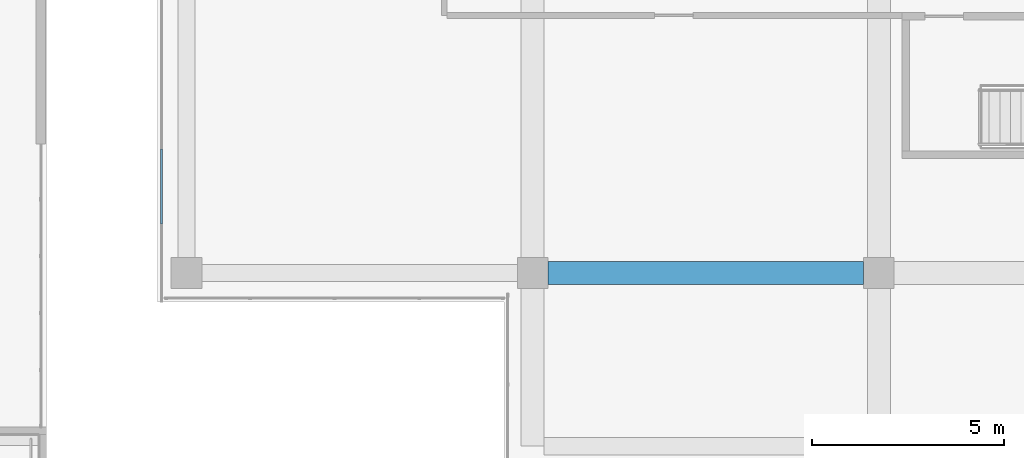
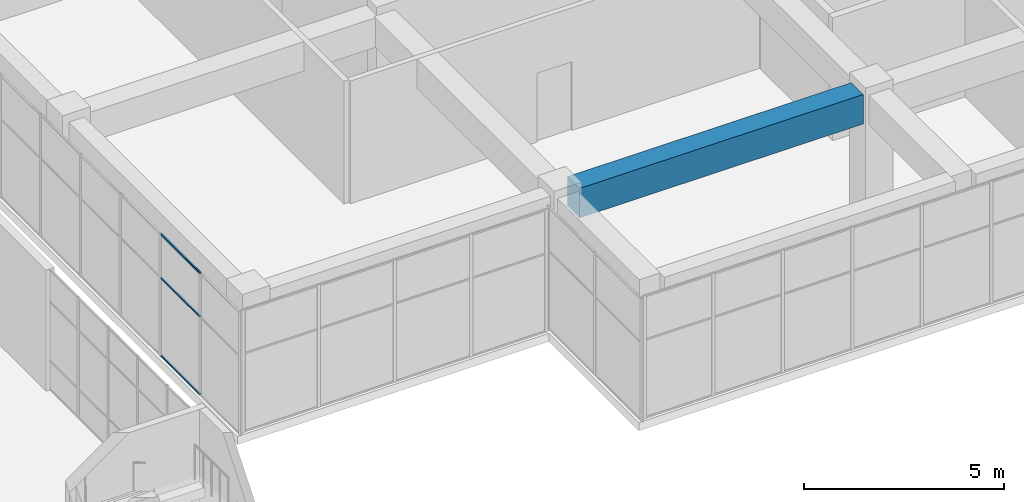
# One storey, part 15 of 65: 3 members, 1 beam, 1 element without a shape of its own.
"""IFC4 building model written with IfcOpenShell, lengths in metres."""

import ifcopenshell
import ifcopenshell.guid

model = None  # the IFC model being written
_history = None  # IfcOwnerHistory: only IFC2X3 demands one
_inside = {}  # id of a spatial element -> (the spatial element, [elements in it])
_under = {}  # id of a project, library or spatial element -> (it, [spatial elements below it])
_declared = {}  # id of a project -> (the project, [libraries it declares])
_typed = {}  # id of a type object -> (the type object, [elements of that type])
_made_of = {}  # id of a material, layer set ... -> (it, [elements and type objects made of it])


def new_model(schema):
    """Start an empty IFC model of exactly this schema.

    Asked for "IFC4X3", IfcOpenShell would pick the latest addendum, in which some entities
    have other attributes; the version numbers below select the first issue.
    IFC2X3 requires an IfcOwnerHistory on every rooted entity: one is made here for all.
    """
    global model, _history
    if schema == "IFC4X3":
        model = ifcopenshell.file(schema_version=(4, 3, 0, 0))
    else:
        model = ifcopenshell.file(schema=schema)
    _inside.clear()
    _under.clear()
    _declared.clear()
    _typed.clear()
    _made_of.clear()
    _history = None
    if model.schema == "IFC2X3":
        org = make("IfcOrganization", Name="unknown")
        user = make(
            "IfcPersonAndOrganization",
            ThePerson=make("IfcPerson", FamilyName="unknown"),
            TheOrganization=org,
        )
        app = make(
            "IfcApplication",
            ApplicationDeveloper=org,
            Version="unknown",
            ApplicationFullName="unknown",
            ApplicationIdentifier="unknown",
        )
        _history = make(
            "IfcOwnerHistory",
            OwningUser=user,
            OwningApplication=app,
            ChangeAction="ADDED",
            CreationDate=0,
        )
    return model


def make(cls, **values):
    """One entity of the class cls with the attributes given. An attribute that is None is left unset."""
    return model.create_entity(
        cls, **{name: value for name, value in values.items() if value is not None}
    )


def rooted(cls, **values):
    """An entity with a GlobalId (a new one), such as an element, a storey or a relation."""
    return make(cls, GlobalId=ifcopenshell.guid.new(), OwnerHistory=_history, **values)


def si_unit(unit_type, name, prefix=None):
    """IfcSIUnit, for example si_unit("LENGTHUNIT", "METRE", prefix="MILLI")."""
    return make("IfcSIUnit", UnitType=unit_type, Prefix=prefix, Name=name)


def assignment(units):
    """IfcUnitAssignment: the units of a project."""
    return None if units is None else make("IfcUnitAssignment", Units=units)


def point(xyz):
    """IfcCartesianPoint."""
    return None if xyz is None else make("IfcCartesianPoint", Coordinates=xyz)


def direction(xyz):
    """IfcDirection."""
    return None if xyz is None else make("IfcDirection", DirectionRatios=xyz)


def frame(location, z_axis=None, x_axis=None):
    """IfcAxis2Placement3D, a coordinate frame: its origin and axes. An axis left out is left unset."""
    return make(
        "IfcAxis2Placement3D",
        Location=point(location),
        Axis=direction(z_axis),
        RefDirection=direction(x_axis),
    )


def frame_2d(location, x_axis=None):
    """IfcAxis2Placement2D, a coordinate frame in the plane: its origin and x axis."""
    return make(
        "IfcAxis2Placement2D", Location=point(location), RefDirection=direction(x_axis)
    )


def origin():
    """The frame at (0, 0, 0) with its axes left unset."""
    return frame((0.0, 0.0, 0.0))


def origin_2d():
    """The frame at (0, 0) in the plane with its x axis left unset."""
    return frame_2d((0.0, 0.0))


def place(relative_to, where):
    """IfcLocalPlacement: puts the frame where relative to a parent placement (None: the world)."""
    return make(
        "IfcLocalPlacement", PlacementRelTo=relative_to, RelativePlacement=where
    )


def context(
    kind, dimensions, precision=None, world=None, true_north=None, identifier=None
):
    """IfcGeometricRepresentationContext, for example the 3D "Model" context."""
    return make(
        "IfcGeometricRepresentationContext",
        ContextIdentifier=identifier,
        ContextType=kind,
        CoordinateSpaceDimension=dimensions,
        Precision=precision,
        WorldCoordinateSystem=world,
        TrueNorth=true_north,
    )


def subcontext(parent, identifier, kind, view, scale=None):
    """IfcGeometricRepresentationSubContext, for example "Body" below "Model"."""
    return make(
        "IfcGeometricRepresentationSubContext",
        ContextIdentifier=identifier,
        ContextType=kind,
        ParentContext=parent,
        TargetScale=scale,
        TargetView=view,
    )


def project(units=None, contexts=None):
    """IfcProject with its units and contexts."""
    return rooted(
        "IfcProject",
        Name="project",
        RepresentationContexts=contexts,
        UnitsInContext=assignment(units),
    )


def spatial(cls, under=None, at=None, **own):
    """A site, building, storey or space (cls), placed at a placement, below another one or the project."""
    s = rooted(cls, ObjectPlacement=at, **own)
    if under is not None:
        _under.setdefault(under.id(), (under, []))[1].append(s)
    return s


def profile(cls, at=None, kind="AREA", **sizes):
    """A parametric profile (cls). Its sizes go by their IFC names, for example OverallWidth=200.0."""
    return make(cls, ProfileType=kind, Position=at, **sizes)


def rectangle(**sizes):
    """IfcRectangleProfileDef."""
    return profile("IfcRectangleProfileDef", **sizes)


def hollow_rectangle(**sizes):
    """IfcRectangleHollowProfileDef."""
    return profile("IfcRectangleHollowProfileDef", **sizes)


def extrude(swept, where, along, depth):
    """IfcExtrudedAreaSolid: the profile swept, set in the frame where, extruded along a direction by depth."""
    return make(
        "IfcExtrudedAreaSolid",
        SweptArea=swept,
        Position=where,
        ExtrudedDirection=direction(along),
        Depth=depth,
    )


def shape(context_of_items, identifier, shape_type, items):
    """IfcShapeRepresentation: the items that make up one representation, for example the "Body"."""
    return make(
        "IfcShapeRepresentation",
        ContextOfItems=context_of_items,
        RepresentationIdentifier=identifier,
        RepresentationType=shape_type,
        Items=items,
    )


def material(Name=None, Category=None):
    """IfcMaterial."""
    return make("IfcMaterial", Name=Name, Category=Category)


def layer(
    of_material, thickness, ventilated=None, Name=None, Category=None, Priority=None
):
    """IfcMaterialLayer: one layer of a wall or slab, of a material (None: an air gap)."""
    return make(
        "IfcMaterialLayer",
        Material=of_material,
        LayerThickness=thickness,
        IsVentilated=ventilated,
        Name=Name,
        Category=Category,
        Priority=Priority,
    )


def layer_set(layers, Name=None):
    """IfcMaterialLayerSet."""
    return make("IfcMaterialLayerSet", MaterialLayers=layers, LayerSetName=Name)


def material_profile(
    of_material, cross_section, Name=None, Category=None, Priority=None
):
    """IfcMaterialProfile: a cross section and its material."""
    return make(
        "IfcMaterialProfile",
        Name=Name,
        Material=of_material,
        Profile=cross_section,
        Priority=Priority,
        Category=Category,
    )


def profile_set(profiles, Name=None, composite=None):
    """IfcMaterialProfileSet."""
    return make(
        "IfcMaterialProfileSet",
        Name=Name,
        MaterialProfiles=profiles,
        CompositeProfile=composite,
    )


def made_of(thing, what):
    """Note that an element or type object is made of a material, layer set ...; save() writes the relation."""
    if what is not None:
        _made_of.setdefault(what.id(), (what, []))[1].append(thing)
    return thing


def type_object(cls, material=None, **own):
    """A type object (cls), such as IfcWallType, which elements share."""
    return made_of(rooted(cls, **own), material)


def element(
    cls,
    number,
    at=None,
    inside=None,
    cuts=None,
    type_object=None,
    material=None,
    context=None,
    identifier="Body",
    shape_type=None,
    held_by="IfcProductDefinitionShape",
    body=None,
    shapes=None,
    **own,
):
    """One element of the class cls, such as IfcWall. Its Tag is "e" and its number.

    at: its placement. inside: the storey or other place that contains it. cuts: it is an
    opening in that element (IfcRelVoidsElement). A single representation is given by context,
    identifier, shape_type and body (its items); several are given by shapes. held_by: the class
    of the entity that holds the representations. save() writes the other relations.
    """
    e = rooted(cls, Tag="e%d" % number, ObjectPlacement=at, **own)
    if body is not None:
        shapes = [shape(context, identifier, shape_type, body)]
    if shapes is not None:
        e.Representation = make(held_by, Representations=shapes)
    if inside is not None:
        _inside.setdefault(inside.id(), (inside, []))[1].append(e)
    if cuts is not None:
        rooted(
            "IfcRelVoidsElement", RelatingBuildingElement=cuts, RelatedOpeningElement=e
        )
    if type_object is not None:
        _typed.setdefault(type_object.id(), (type_object, []))[1].append(e)
    return made_of(e, material)


def aggregate(whole, parts):
    """IfcRelAggregates: a whole, such as a stair, and the parts it consists of."""
    return rooted("IfcRelAggregates", RelatingObject=whole, RelatedObjects=parts)


def save(model, path):
    """Write the relations noted so far, then the file.

    IfcRelAggregates (storeys below a building ...), IfcRelContainedInSpatialStructure (elements
    in a storey), IfcRelDefinesByType, IfcRelAssociatesMaterial and IfcRelDeclares: one each for
    every whole, place, type object, material and project.
    """
    for whole, parts in _under.values():
        aggregate(whole, parts)
    for where, things in _inside.values():
        rooted(
            "IfcRelContainedInSpatialStructure",
            RelatedElements=things,
            RelatingStructure=where,
        )
    for kind, things in _typed.values():
        rooted("IfcRelDefinesByType", RelatedObjects=things, RelatingType=kind)
    for what, things in _made_of.values():
        rooted("IfcRelAssociatesMaterial", RelatedObjects=things, RelatingMaterial=what)
    for by, libraries in _declared.values():
        rooted("IfcRelDeclares", RelatingContext=by, RelatedDefinitions=libraries)
    model.write(path)


model = new_model("IFC4")

# Units and contexts
model_context = context("Model", 3, precision=1e-05, world=origin(), true_north=direction((0.0, 1.0)))
body_context = subcontext(model_context, "Body", "Model", "MODEL_VIEW")
ifc_project = project(units=[si_unit("LENGTHUNIT", "METRE"), si_unit("AREAUNIT", "SQUARE_METRE"), si_unit("VOLUMEUNIT", "CUBIC_METRE"), si_unit("PLANEANGLEUNIT", "RADIAN"), si_unit("MASSUNIT", "GRAM", prefix="KILO")], contexts=[model_context])

# Site, building, storey
site_placement = place(None, origin())
site = spatial("IfcSite", under=ifc_project, at=site_placement, CompositionType="ELEMENT")
building_placement = place(site_placement, origin())
building = spatial("IfcBuilding", under=site, at=building_placement, Name="Tuart Plaza Theatre", CompositionType="ELEMENT")
storey_placement = place(building_placement, frame((0.0, 0.0, 9.5)))
storey = spatial("IfcBuildingStorey", under=building, at=storey_placement, Name="L02", CompositionType="ELEMENT", Elevation=9.5)

# Beam
ifc_material_1 = material(Name="Concrete N40 (40 MPa)", Category="concrete")
ifc_material_profile_1 = material_profile(ifc_material_1, rectangle(XDim=0.60009765625, YDim=0.89990234375, at=origin_2d()), Name="BEAM 600x900 Concrete N40 (40 MPa)")
ifc_profile_set_1 = profile_set([ifc_material_profile_1], Name="Concrete N40 (40 MPa)")
beam_type = type_object("IfcBeamType", Name="BEAM 600x900 Concrete N40 (40 MPa)", PredefinedType="BEAM", material=ifc_profile_set_1)
beam_placement = place(storey_placement, frame((123.39990234375, 56.0, 3.300048828125), z_axis=(1.0, 0.0, 0.0), x_axis=(0.0, 1.0, 0.0)))
element("IfcBeam", 1, at=beam_placement, inside=storey, type_object=beam_type, Name="RB176", PredefinedType="BEAM", context=body_context, shape_type="SweptSolid", body=[
    extrude(rectangle(XDim=0.60009765625, YDim=0.89990234375, at=origin_2d()), origin(), (0.0, 0.0, 1.0), 8.2001953125),
])

# Curtain wall, members
ifc_material_2 = material(Name="Aluminium and glass", Category="aluminium")
ifc_layer = layer(ifc_material_2, 0.10009765625)
ifc_layer_set = layer_set([ifc_layer], Name="CURTAIN WALL 2000 module")
curtain_wall_type = type_object("IfcCurtainWallType", Name="CURTAIN WALL 2000 module", PredefinedType="NOTDEFINED", material=ifc_layer_set)
curtain_wall_placement = place(storey_placement, origin())
curtain_wall = element("IfcCurtainWall", 2, at=curtain_wall_placement, inside=storey, type_object=curtain_wall_type, Name="CW73", PredefinedType="NOTDEFINED")
ifc_material_3 = material(Name="Aluminium 6063-T5", Category="aluminium")
ifc_material_profile_2 = material_profile(ifc_material_3, hollow_rectangle(XDim=0.050048828125, YDim=0.050048828125, WallThickness=0.00390625, InnerFilletRadius=0.00390625, OuterFilletRadius=0.008056640625, at=origin_2d()), Name="RHS 50x50x4")
ifc_profile_set_2 = profile_set([ifc_material_profile_2], Name="Aluminium 6063-T5")
member_type = type_object("IfcMemberType", Name="TRANSOM RHS 50x50x4", PredefinedType="USERDEFINED", material=ifc_profile_set_2)
member_1_placement = place(storey_placement, frame((113.35009765625, 59.22509765625, 0.02490234375), z_axis=(0.0, -1.0, 0.0), x_axis=(1.0, 0.0, 0.0)))
member_1 = element("IfcMember", 3, at=member_1_placement, type_object=member_type, Name="CW73 transom 20.1", ObjectType="TRANSOM", PredefinedType="USERDEFINED", context=body_context, shape_type="SweptSolid", body=[
    extrude(hollow_rectangle(XDim=0.050048828125, YDim=0.050048828125, WallThickness=0.00390625, InnerFilletRadius=0.00390625, OuterFilletRadius=0.008056640625, at=origin_2d()), origin(), (0.0, 0.0, 1.0), 1.9501953125),
])
member_2_placement = place(storey_placement, frame((113.35009765625, 59.22509765625, 2.39990234375), z_axis=(0.0, -1.0, 0.0), x_axis=(1.0, 0.0, 0.0)))
member_2 = element("IfcMember", 4, at=member_2_placement, type_object=member_type, Name="CW73 transom 20.2", ObjectType="TRANSOM", PredefinedType="USERDEFINED", context=body_context, shape_type="SweptSolid", body=[
    extrude(hollow_rectangle(XDim=0.050048828125, YDim=0.050048828125, WallThickness=0.00390625, InnerFilletRadius=0.00390625, OuterFilletRadius=0.008056640625, at=origin_2d()), origin(), (0.0, 0.0, 1.0), 1.9501953125),
])
member_3_placement = place(storey_placement, frame((113.35009765625, 59.22509765625, 3.72509765625), z_axis=(0.0, -1.0, 0.0), x_axis=(1.0, 0.0, 0.0)))
member_3 = element("IfcMember", 5, at=member_3_placement, type_object=member_type, Name="CW73 transom 20.3", ObjectType="TRANSOM", PredefinedType="USERDEFINED", context=body_context, shape_type="SweptSolid", body=[
    extrude(hollow_rectangle(XDim=0.050048828125, YDim=0.050048828125, WallThickness=0.00390625, InnerFilletRadius=0.00390625, OuterFilletRadius=0.008056640625, at=origin_2d()), origin(), (0.0, 0.0, 1.0), 1.9501953125),
])
aggregate(curtain_wall, [member_1, member_2, member_3])

save(model, "model.ifc")
